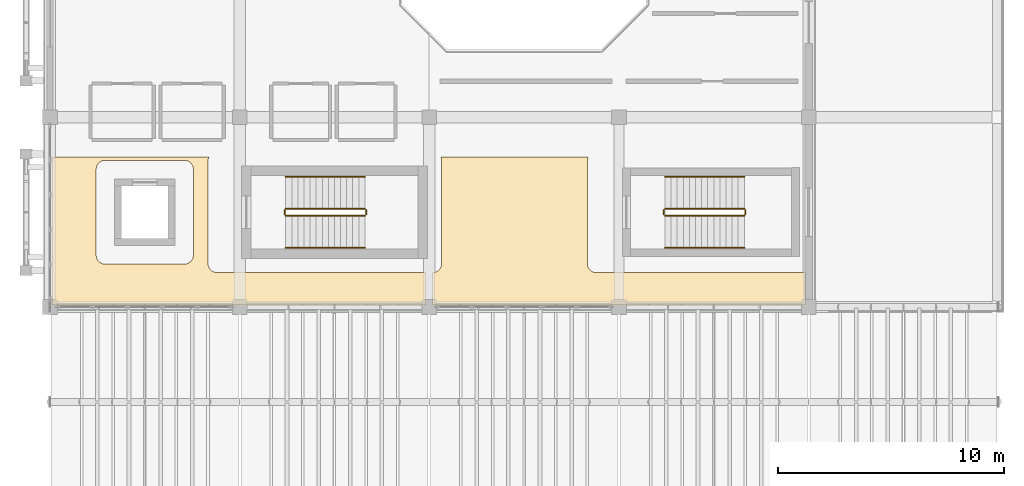
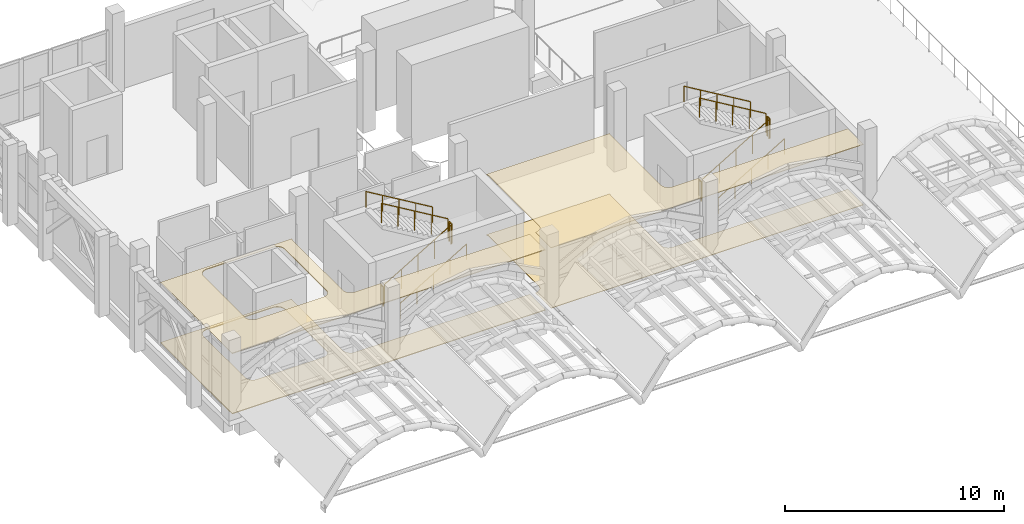
# One storey, part 19 of 22: 12 railings, 4 coverings.
"""IFC4 building model written with IfcOpenShell, lengths in metres."""

from ifc_helpers import new_model, si_unit, direction, frame, origin, origin_2d, place, context, subcontext, project, spatial, polyline, circle, outline, extrude, material, layer, layer_set, type_object, element, save


model = new_model("IFC4")

# Units and contexts
model_context = context("Model", 3, precision=1e-05, world=origin(), true_north=direction((0.0, 1.0)))
body_context = subcontext(model_context, "Body", "Model", "MODEL_VIEW")
ifc_project = project(units=[si_unit("LENGTHUNIT", "METRE"), si_unit("AREAUNIT", "SQUARE_METRE"), si_unit("VOLUMEUNIT", "CUBIC_METRE"), si_unit("PLANEANGLEUNIT", "RADIAN"), si_unit("MASSUNIT", "GRAM", prefix="KILO")], contexts=[model_context])

# Site, building, storey
site_placement = place(None, origin())
site = spatial("IfcSite", under=ifc_project, at=site_placement, CompositionType="ELEMENT")
building_placement = place(site_placement, origin())
building = spatial("IfcBuilding", under=site, at=building_placement, Name="Xazarin Passage Department Store", CompositionType="ELEMENT")
storey_placement = place(building_placement, frame((0.0, 0.0, 27.89990234375)))
storey = spatial("IfcBuildingStorey", under=building, at=storey_placement, Name="L06", CompositionType="ELEMENT", Elevation=27.89990234375)

# Coverings
ifc_material_1 = material(Name="Acoustic mineral ceiling")
ifc_layer_1 = layer(ifc_material_1, 0.030029296875)
ifc_layer_set_1 = layer_set([ifc_layer_1], Name="Acoustic mineral ceiling")
covering_type_1 = type_object("IfcCoveringType", Name="ARC-COV-CLG030", PredefinedType="CEILING", material=ifc_layer_set_1)
covering_1_placement = place(storey_placement, frame((0.0, 0.0, 3.3701171875)))
element("IfcCovering", 1, at=covering_1_placement, inside=storey, type_object=covering_type_1, Name="L06 Design Furniture Showroom Acoustic Ceiling", PredefinedType="CEILING", context=body_context, shape_type="SweptSolid", body=[
    extrude(outline(polyline([(17.306884765625, 83.050048828125), (17.319580078125, 83.023193359375), (17.332763671875, 82.986083984375), (17.34228515625, 82.947998046875), (17.34814453125, 82.9091796875), (17.35009765625, 82.8701171875), (17.35009765625, 78.330078125), (17.34814453125, 78.290771484375), (17.34228515625, 78.251953125), (17.332763671875, 78.2138671875), (17.319580078125, 78.177001953125), (17.302734375, 78.141357421875), (17.28271484375, 78.10791015625), (17.25927734375, 78.076171875), (17.23291015625, 78.047119140625), (17.203857421875, 78.020751953125), (17.172119140625, 77.997314453125), (17.138671875, 77.977294921875), (17.10302734375, 77.96044921875), (17.066162109375, 77.947265625), (17.028076171875, 77.937744140625), (16.9892578125, 77.931884765625), (16.949951171875, 77.929931640625), (16.949951171875, 76.5), (33.449951171875, 76.5), (33.449951171875, 77.929931640625), (24.199951171875, 77.929931640625), (24.160888671875, 77.931884765625), (24.1220703125, 77.937744140625), (24.083984375, 77.947265625), (24.046875, 77.96044921875), (24.011474609375, 77.977294921875), (23.977783203125, 77.997314453125), (23.9462890625, 78.020751953125), (23.917236328125, 78.047119140625), (23.890869140625, 78.076171875), (23.867431640625, 78.10791015625), (23.84716796875, 78.141357421875), (23.830322265625, 78.177001953125), (23.817138671875, 78.2138671875), (23.8076171875, 78.251953125), (23.802001953125, 78.290771484375), (23.800048828125, 78.330078125), (23.800048828125, 82.8701171875), (23.802001953125, 82.9091796875), (23.8076171875, 82.947998046875), (23.817138671875, 82.986083984375), (23.830322265625, 83.023193359375), (23.84326171875, 83.050048828125), (17.306884765625, 83.050048828125)])), origin(), (0.0, 0.0, 1.0), 0.030029296875),
])
ifc_layer_2 = layer(ifc_material_1, 0.0400390625)
ifc_layer_set_2 = layer_set([ifc_layer_2], Name="Acoustic mineral ceiling")
covering_type_2 = type_object("IfcCoveringType", Name="ARC-COV-CLG040", PredefinedType="CEILING", material=ifc_layer_set_2)
covering_2_placement = place(storey_placement, frame((0.0, 0.0, 3.360107421875)))
element("IfcCovering", 2, at=covering_2_placement, inside=storey, type_object=covering_type_2, Name="L06 Sports and Outdoor Hall Acoustic Ceiling", PredefinedType="CEILING", context=body_context, shape_type="SweptSolid", body=[
    extrude(outline(polyline([(16.64990234375, 77.929931640625), (7.39990234375, 77.929931640625), (7.36083984375, 77.931884765625), (7.322021484375, 77.937744140625), (7.283935546875, 77.947265625), (7.246826171875, 77.96044921875), (7.21142578125, 77.977294921875), (7.177734375, 77.997314453125), (7.146240234375, 78.020751953125), (7.1171875, 78.047119140625), (7.0908203125, 78.076171875), (7.0673828125, 78.10791015625), (7.047119140625, 78.141357421875), (7.030517578125, 78.177001953125), (7.01708984375, 78.2138671875), (7.0078125, 78.251953125), (7.001953125, 78.290771484375), (7.0, 78.330078125), (7.0, 82.8701171875), (7.001953125, 82.9091796875), (7.0078125, 82.947998046875), (7.01708984375, 82.986083984375), (7.030517578125, 83.023193359375), (7.043212890625, 83.050048828125), (0.10009765625, 83.050048828125), (0.10009765625, 76.5), (16.64990234375, 76.5), (16.64990234375, 77.929931640625)]), holes=[polyline([(2.449951171875, 78.300048828125), (2.410888671875, 78.302001953125), (2.3720703125, 78.3076171875), (2.333984375, 78.317138671875), (2.296875, 78.330322265625), (2.261474609375, 78.34716796875), (2.227783203125, 78.367431640625), (2.1962890625, 78.390869140625), (2.167236328125, 78.417236328125), (2.140869140625, 78.4462890625), (2.117431640625, 78.477783203125), (2.09716796875, 78.511474609375), (2.080322265625, 78.546875), (2.067138671875, 78.583984375), (2.0576171875, 78.6220703125), (2.052001953125, 78.660888671875), (2.050048828125, 78.699951171875), (2.050048828125, 82.5), (2.052001953125, 82.539306640625), (2.0576171875, 82.577880859375), (2.067138671875, 82.6162109375), (2.080322265625, 82.653076171875), (2.09716796875, 82.688720703125), (2.117431640625, 82.72216796875), (2.140869140625, 82.75390625), (2.167236328125, 82.78271484375), (2.1962890625, 82.80908203125), (2.227783203125, 82.83251953125), (2.261474609375, 82.852783203125), (2.296875, 82.86962890625), (2.333984375, 82.8828125), (2.3720703125, 82.892333984375), (2.410888671875, 82.898193359375), (2.449951171875, 82.89990234375), (5.949951171875, 82.89990234375), (5.9892578125, 82.898193359375), (6.028076171875, 82.892333984375), (6.066162109375, 82.8828125), (6.10302734375, 82.86962890625), (6.138671875, 82.852783203125), (6.172119140625, 82.83251953125), (6.203857421875, 82.80908203125), (6.23291015625, 82.78271484375), (6.25927734375, 82.75390625), (6.28271484375, 82.72216796875), (6.302734375, 82.688720703125), (6.319580078125, 82.653076171875), (6.332763671875, 82.6162109375), (6.34228515625, 82.577880859375), (6.34814453125, 82.539306640625), (6.35009765625, 82.5), (6.35009765625, 78.699951171875), (6.34814453125, 78.660888671875), (6.34228515625, 78.6220703125), (6.332763671875, 78.583984375), (6.319580078125, 78.546875), (6.302734375, 78.511474609375), (6.28271484375, 78.477783203125), (6.25927734375, 78.4462890625), (6.23291015625, 78.417236328125), (6.203857421875, 78.390869140625), (6.172119140625, 78.367431640625), (6.138671875, 78.34716796875), (6.10302734375, 78.330322265625), (6.066162109375, 78.317138671875), (6.028076171875, 78.3076171875), (5.9892578125, 78.302001953125), (5.949951171875, 78.300048828125), (2.449951171875, 78.300048828125)])]), origin(), (0.0, 0.0, 1.0), 0.0400390625),
])
ifc_material_2 = material(Name="Terrazzo stone flooring", Category="masonry")
ifc_layer_3 = layer(ifc_material_2, 0.02490234375)
ifc_layer_set_3 = layer_set([ifc_layer_3], Name="Terrazzo stone flooring")
covering_type_3 = type_object("IfcCoveringType", Name="ARC-COV-FLR025", PredefinedType="FLOORING", material=ifc_layer_set_3)
covering_3_placement = place(storey_placement, origin())
element("IfcCovering", 3, at=covering_3_placement, inside=storey, type_object=covering_type_3, Name="L06 Design Furniture Showroom Terrazzo Flooring", PredefinedType="FLOORING", context=body_context, shape_type="SweptSolid", body=[
    extrude(outline(polyline([(17.306884765625, 83.050048828125), (17.319580078125, 83.023193359375), (17.332763671875, 82.986083984375), (17.34228515625, 82.947998046875), (17.34814453125, 82.9091796875), (17.35009765625, 82.8701171875), (17.35009765625, 78.330078125), (17.34814453125, 78.290771484375), (17.34228515625, 78.251953125), (17.332763671875, 78.2138671875), (17.319580078125, 78.177001953125), (17.302734375, 78.141357421875), (17.28271484375, 78.10791015625), (17.25927734375, 78.076171875), (17.23291015625, 78.047119140625), (17.203857421875, 78.020751953125), (17.172119140625, 77.997314453125), (17.138671875, 77.977294921875), (17.10302734375, 77.96044921875), (17.066162109375, 77.947265625), (17.028076171875, 77.937744140625), (16.9892578125, 77.931884765625), (16.949951171875, 77.929931640625), (16.949951171875, 76.5), (33.449951171875, 76.5), (33.449951171875, 77.929931640625), (24.199951171875, 77.929931640625), (24.160888671875, 77.931884765625), (24.1220703125, 77.937744140625), (24.083984375, 77.947265625), (24.046875, 77.96044921875), (24.011474609375, 77.977294921875), (23.977783203125, 77.997314453125), (23.9462890625, 78.020751953125), (23.917236328125, 78.047119140625), (23.890869140625, 78.076171875), (23.867431640625, 78.10791015625), (23.84716796875, 78.141357421875), (23.830322265625, 78.177001953125), (23.817138671875, 78.2138671875), (23.8076171875, 78.251953125), (23.802001953125, 78.290771484375), (23.800048828125, 78.330078125), (23.800048828125, 82.8701171875), (23.802001953125, 82.9091796875), (23.8076171875, 82.947998046875), (23.817138671875, 82.986083984375), (23.830322265625, 83.023193359375), (23.84326171875, 83.050048828125), (17.306884765625, 83.050048828125)])), origin(), (0.0, 0.0, 1.0), 0.025146484375),
])
ifc_layer_4 = layer(ifc_material_2, 0.034912109375)
ifc_layer_set_4 = layer_set([ifc_layer_4], Name="Terrazzo stone flooring")
covering_type_4 = type_object("IfcCoveringType", Name="ARC-COV-FLR035", PredefinedType="FLOORING", material=ifc_layer_set_4)
covering_4_placement = place(storey_placement, origin())
element("IfcCovering", 4, at=covering_4_placement, inside=storey, type_object=covering_type_4, Name="L06 Sports and Outdoor Hall Terrazzo Flooring", PredefinedType="FLOORING", context=body_context, shape_type="SweptSolid", body=[
    extrude(outline(polyline([(16.64990234375, 77.929931640625), (7.39990234375, 77.929931640625), (7.36083984375, 77.931884765625), (7.322021484375, 77.937744140625), (7.283935546875, 77.947265625), (7.246826171875, 77.96044921875), (7.21142578125, 77.977294921875), (7.177734375, 77.997314453125), (7.146240234375, 78.020751953125), (7.1171875, 78.047119140625), (7.0908203125, 78.076171875), (7.0673828125, 78.10791015625), (7.047119140625, 78.141357421875), (7.030517578125, 78.177001953125), (7.01708984375, 78.2138671875), (7.0078125, 78.251953125), (7.001953125, 78.290771484375), (7.0, 78.330078125), (7.0, 82.8701171875), (7.001953125, 82.9091796875), (7.0078125, 82.947998046875), (7.01708984375, 82.986083984375), (7.030517578125, 83.023193359375), (7.043212890625, 83.050048828125), (0.10009765625, 83.050048828125), (0.10009765625, 76.5), (16.64990234375, 76.5), (16.64990234375, 77.929931640625)]), holes=[polyline([(2.449951171875, 78.300048828125), (2.410888671875, 78.302001953125), (2.3720703125, 78.3076171875), (2.333984375, 78.317138671875), (2.296875, 78.330322265625), (2.261474609375, 78.34716796875), (2.227783203125, 78.367431640625), (2.1962890625, 78.390869140625), (2.167236328125, 78.417236328125), (2.140869140625, 78.4462890625), (2.117431640625, 78.477783203125), (2.09716796875, 78.511474609375), (2.080322265625, 78.546875), (2.067138671875, 78.583984375), (2.0576171875, 78.6220703125), (2.052001953125, 78.660888671875), (2.050048828125, 78.699951171875), (2.050048828125, 82.5), (2.052001953125, 82.539306640625), (2.0576171875, 82.577880859375), (2.067138671875, 82.6162109375), (2.080322265625, 82.653076171875), (2.09716796875, 82.688720703125), (2.117431640625, 82.72216796875), (2.140869140625, 82.75390625), (2.167236328125, 82.78271484375), (2.1962890625, 82.80908203125), (2.227783203125, 82.83251953125), (2.261474609375, 82.852783203125), (2.296875, 82.86962890625), (2.333984375, 82.8828125), (2.3720703125, 82.892333984375), (2.410888671875, 82.898193359375), (2.449951171875, 82.89990234375), (5.949951171875, 82.89990234375), (5.9892578125, 82.898193359375), (6.028076171875, 82.892333984375), (6.066162109375, 82.8828125), (6.10302734375, 82.86962890625), (6.138671875, 82.852783203125), (6.172119140625, 82.83251953125), (6.203857421875, 82.80908203125), (6.23291015625, 82.78271484375), (6.25927734375, 82.75390625), (6.28271484375, 82.72216796875), (6.302734375, 82.688720703125), (6.319580078125, 82.653076171875), (6.332763671875, 82.6162109375), (6.34228515625, 82.577880859375), (6.34814453125, 82.539306640625), (6.35009765625, 82.5), (6.35009765625, 78.699951171875), (6.34814453125, 78.660888671875), (6.34228515625, 78.6220703125), (6.332763671875, 78.583984375), (6.319580078125, 78.546875), (6.302734375, 78.511474609375), (6.28271484375, 78.477783203125), (6.25927734375, 78.4462890625), (6.23291015625, 78.417236328125), (6.203857421875, 78.390869140625), (6.172119140625, 78.367431640625), (6.138671875, 78.34716796875), (6.10302734375, 78.330322265625), (6.066162109375, 78.317138671875), (6.028076171875, 78.3076171875), (5.9892578125, 78.302001953125), (5.949951171875, 78.300048828125), (2.449951171875, 78.300048828125)])]), origin(), (0.0, 0.0, 1.0), 0.03515625),
])

# Railings
ifc_material_3 = material(Name="Steel S355", Category="steel")
railing_type_1 = type_object("IfcRailingType", Name="ARC-RL-GRD112", PredefinedType="GUARDRAIL", material=ifc_material_3)
railing_1_placement = place(storey_placement, frame((10.43994140625, 80.449951171875, 0.160888671875)))
element("IfcRailing", 5, at=railing_1_placement, inside=storey, type_object=railing_type_1, Name="L06 ST1 stair guard 1", PredefinedType="GUARDRAIL", context=body_context, shape_type="SweptSolid", body=[
    extrude(circle(Radius=0.02392578125, at=origin_2d()), frame((0.0, 0.0, 1.076171875), z_axis=(0.859312273368, 0.0, 0.511451284914), x_axis=(0.0, 1.0, 0.0)), (0.0, 0.0, 1.0), 4.084716796875),
    extrude(circle(Radius=0.02099609375, at=origin_2d()), origin(), (0.0, 0.0, 1.0), 1.0517578125),
    extrude(circle(Radius=0.02099609375, at=origin_2d()), frame((0.87744140625, 0.0, 0.522216796875)), (0.0, 0.0, 1.0), 1.0517578125),
    extrude(circle(Radius=0.02099609375, at=origin_2d()), frame((1.7548828125, 0.0, 1.04443359375)), (0.0, 0.0, 1.0), 1.0517578125),
    extrude(circle(Radius=0.02099609375, at=origin_2d()), frame((2.632568359375, 0.0, 1.56689453125)), (0.0, 0.0, 1.0), 1.0517578125),
    extrude(circle(Radius=0.02099609375, at=origin_2d()), frame((3.510009765625, 0.0, 2.089111328125)), (0.0, 0.0, 1.0), 1.0517578125),
])
railing_2_placement = place(storey_placement, frame((14.0, 80.5, 2.25)))
element("IfcRailing", 6, at=railing_2_placement, inside=storey, type_object=railing_type_1, Name="L06 ST1 stair guard 2", PredefinedType="GUARDRAIL", context=body_context, shape_type="SweptSolid", body=[
    extrude(circle(Radius=0.02392578125, at=origin_2d()), frame((0.0, 0.0, 1.076171875), z_axis=(0.0, 1.0, 0.0), x_axis=(-1.0, 0.0, 0.0)), (0.0, 0.0, 1.0), 0.199951171875),
    extrude(circle(Radius=0.02099609375, at=origin_2d()), origin(), (0.0, 0.0, 1.0), 1.0517578125),
    extrude(circle(Radius=0.02099609375, at=origin_2d()), frame((0.0, 0.199951171875, 0.0)), (0.0, 0.0, 1.0), 1.0517578125),
])
railing_3_placement = place(storey_placement, frame((13.949951171875, 80.75, 2.410888671875)))
element("IfcRailing", 7, at=railing_3_placement, inside=storey, type_object=railing_type_1, Name="L06 ST1 stair guard 3", PredefinedType="GUARDRAIL", context=body_context, shape_type="SweptSolid", body=[
    extrude(circle(Radius=0.02392578125, at=origin_2d()), frame((0.0, 0.0, 1.076171875), z_axis=(-0.859312273368, 0.0, 0.511451284914), x_axis=(0.0, -1.0, 0.0)), (0.0, 0.0, 1.0), 4.084716796875),
    extrude(circle(Radius=0.02099609375, at=origin_2d()), origin(), (0.0, 0.0, 1.0), 1.0517578125),
    extrude(circle(Radius=0.02099609375, at=origin_2d()), frame((-0.87744140625, 0.0, 0.522216796875)), (0.0, 0.0, 1.0), 1.0517578125),
    extrude(circle(Radius=0.02099609375, at=origin_2d()), frame((-1.7548828125, 0.0, 1.04443359375)), (0.0, 0.0, 1.0), 1.0517578125),
    extrude(circle(Radius=0.02099609375, at=origin_2d()), frame((-2.632568359375, 0.0, 1.56689453125)), (0.0, 0.0, 1.0), 1.0517578125),
    extrude(circle(Radius=0.02099609375, at=origin_2d()), frame((-3.510009765625, 0.0, 2.089111328125)), (0.0, 0.0, 1.0), 1.0517578125),
])
railing_4_placement = place(storey_placement, frame((10.389892578125, 80.5, 0.0)))
element("IfcRailing", 8, at=railing_4_placement, inside=storey, type_object=railing_type_1, Name="L06 ST1 stair guard 4", PredefinedType="GUARDRAIL", context=body_context, shape_type="SweptSolid", body=[
    extrude(circle(Radius=0.02392578125, at=origin_2d()), frame((0.0, 0.0, 1.076171875), z_axis=(0.0, 1.0, 0.0), x_axis=(-1.0, 0.0, 0.0)), (0.0, 0.0, 1.0), 0.199951171875),
    extrude(circle(Radius=0.02099609375, at=origin_2d()), origin(), (0.0, 0.0, 1.0), 1.0517578125),
    extrude(circle(Radius=0.02099609375, at=origin_2d()), frame((0.0, 0.199951171875, 0.0)), (0.0, 0.0, 1.0), 1.0517578125),
])
railing_5_placement = place(storey_placement, frame((27.239990234375, 80.449951171875, 0.160888671875)))
element("IfcRailing", 9, at=railing_5_placement, inside=storey, type_object=railing_type_1, Name="L06 ST3 stair guard 1", PredefinedType="GUARDRAIL", context=body_context, shape_type="SweptSolid", body=[
    extrude(circle(Radius=0.02392578125, at=origin_2d()), frame((0.0, 0.0, 1.076171875), z_axis=(0.859312273368, 0.0, 0.511451284914), x_axis=(0.0, 1.0, 0.0)), (0.0, 0.0, 1.0), 4.084716796875),
    extrude(circle(Radius=0.02099609375, at=origin_2d()), origin(), (0.0, 0.0, 1.0), 1.0517578125),
    extrude(circle(Radius=0.02099609375, at=origin_2d()), frame((0.87744140625, 0.0, 0.522216796875)), (0.0, 0.0, 1.0), 1.0517578125),
    extrude(circle(Radius=0.02099609375, at=origin_2d()), frame((1.7548828125, 0.0, 1.04443359375)), (0.0, 0.0, 1.0), 1.0517578125),
    extrude(circle(Radius=0.02099609375, at=origin_2d()), frame((2.632568359375, 0.0, 1.56689453125)), (0.0, 0.0, 1.0), 1.0517578125),
    extrude(circle(Radius=0.02099609375, at=origin_2d()), frame((3.510009765625, 0.0, 2.089111328125)), (0.0, 0.0, 1.0), 1.0517578125),
])
railing_6_placement = place(storey_placement, frame((30.800048828125, 80.5, 2.25)))
element("IfcRailing", 10, at=railing_6_placement, inside=storey, type_object=railing_type_1, Name="L06 ST3 stair guard 2", PredefinedType="GUARDRAIL", context=body_context, shape_type="SweptSolid", body=[
    extrude(circle(Radius=0.02392578125, at=origin_2d()), frame((0.0, 0.0, 1.076171875), z_axis=(0.0, 1.0, 0.0), x_axis=(-1.0, 0.0, 0.0)), (0.0, 0.0, 1.0), 0.199951171875),
    extrude(circle(Radius=0.02099609375, at=origin_2d()), origin(), (0.0, 0.0, 1.0), 1.0517578125),
    extrude(circle(Radius=0.02099609375, at=origin_2d()), frame((0.0, 0.199951171875, 0.0)), (0.0, 0.0, 1.0), 1.0517578125),
])
railing_7_placement = place(storey_placement, frame((30.75, 80.75, 2.410888671875)))
element("IfcRailing", 11, at=railing_7_placement, inside=storey, type_object=railing_type_1, Name="L06 ST3 stair guard 3", PredefinedType="GUARDRAIL", context=body_context, shape_type="SweptSolid", body=[
    extrude(circle(Radius=0.02392578125, at=origin_2d()), frame((0.0, 0.0, 1.076171875), z_axis=(-0.859312273368, 0.0, 0.511451284914), x_axis=(0.0, -1.0, 0.0)), (0.0, 0.0, 1.0), 4.084716796875),
    extrude(circle(Radius=0.02099609375, at=origin_2d()), origin(), (0.0, 0.0, 1.0), 1.0517578125),
    extrude(circle(Radius=0.02099609375, at=origin_2d()), frame((-0.87744140625, 0.0, 0.522216796875)), (0.0, 0.0, 1.0), 1.0517578125),
    extrude(circle(Radius=0.02099609375, at=origin_2d()), frame((-1.7548828125, 0.0, 1.04443359375)), (0.0, 0.0, 1.0), 1.0517578125),
    extrude(circle(Radius=0.02099609375, at=origin_2d()), frame((-2.632568359375, 0.0, 1.56689453125)), (0.0, 0.0, 1.0), 1.0517578125),
    extrude(circle(Radius=0.02099609375, at=origin_2d()), frame((-3.510009765625, 0.0, 2.089111328125)), (0.0, 0.0, 1.0), 1.0517578125),
])
railing_8_placement = place(storey_placement, frame((27.18994140625, 80.5, 0.0)))
element("IfcRailing", 12, at=railing_8_placement, inside=storey, type_object=railing_type_1, Name="L06 ST3 stair guard 4", PredefinedType="GUARDRAIL", context=body_context, shape_type="SweptSolid", body=[
    extrude(circle(Radius=0.02392578125, at=origin_2d()), frame((0.0, 0.0, 1.076171875), z_axis=(0.0, 1.0, 0.0), x_axis=(-1.0, 0.0, 0.0)), (0.0, 0.0, 1.0), 0.199951171875),
    extrude(circle(Radius=0.02099609375, at=origin_2d()), origin(), (0.0, 0.0, 1.0), 1.0517578125),
    extrude(circle(Radius=0.02099609375, at=origin_2d()), frame((0.0, 0.199951171875, 0.0)), (0.0, 0.0, 1.0), 1.0517578125),
])
railing_type_2 = type_object("IfcRailingType", Name="ARC-RL-HND090", PredefinedType="HANDRAIL", material=ifc_material_3)
railing_9_placement = place(storey_placement, frame((10.43994140625, 79.030029296875, 0.160888671875)))
element("IfcRailing", 13, at=railing_9_placement, inside=storey, type_object=railing_type_2, Name="L06 ST1 stair handrail 1", PredefinedType="HANDRAIL", context=body_context, shape_type="SweptSolid", body=[
    extrude(circle(Radius=0.02392578125, at=origin_2d()), frame((0.0, 0.0, 0.8759765625), z_axis=(0.859312273368, 0.0, 0.511451284914), x_axis=(0.0, 1.0, 0.0)), (0.0, 0.0, 1.0), 4.084716796875),
    extrude(circle(Radius=0.02099609375, at=origin_2d()), origin(), (0.0, 0.0, 1.0), 0.8515625),
    extrude(circle(Radius=0.02099609375, at=origin_2d()), frame((0.87744140625, 0.0, 0.522216796875)), (0.0, 0.0, 1.0), 0.8515625),
    extrude(circle(Radius=0.02099609375, at=origin_2d()), frame((1.7548828125, 0.0, 1.04443359375)), (0.0, 0.0, 1.0), 0.8515625),
    extrude(circle(Radius=0.02099609375, at=origin_2d()), frame((2.632568359375, 0.0, 1.56689453125)), (0.0, 0.0, 1.0), 0.8515625),
    extrude(circle(Radius=0.02099609375, at=origin_2d()), frame((3.510009765625, 0.0, 2.089111328125)), (0.0, 0.0, 1.0), 0.8515625),
])
railing_10_placement = place(storey_placement, frame((13.949951171875, 82.169921875, 2.410888671875)))
element("IfcRailing", 14, at=railing_10_placement, inside=storey, type_object=railing_type_2, Name="L06 ST1 stair handrail 2", PredefinedType="HANDRAIL", context=body_context, shape_type="SweptSolid", body=[
    extrude(circle(Radius=0.02392578125, at=origin_2d()), frame((0.0, 0.0, 0.8759765625), z_axis=(-0.859312273368, 0.0, 0.511451284914), x_axis=(0.0, -1.0, 0.0)), (0.0, 0.0, 1.0), 4.084716796875),
    extrude(circle(Radius=0.02099609375, at=origin_2d()), origin(), (0.0, 0.0, 1.0), 0.8515625),
    extrude(circle(Radius=0.02099609375, at=origin_2d()), frame((-0.87744140625, 0.0, 0.522216796875)), (0.0, 0.0, 1.0), 0.8515625),
    extrude(circle(Radius=0.02099609375, at=origin_2d()), frame((-1.7548828125, 0.0, 1.04443359375)), (0.0, 0.0, 1.0), 0.8515625),
    extrude(circle(Radius=0.02099609375, at=origin_2d()), frame((-2.632568359375, 0.0, 1.56689453125)), (0.0, 0.0, 1.0), 0.8515625),
    extrude(circle(Radius=0.02099609375, at=origin_2d()), frame((-3.510009765625, 0.0, 2.089111328125)), (0.0, 0.0, 1.0), 0.8515625),
])
railing_11_placement = place(storey_placement, frame((27.239990234375, 79.030029296875, 0.160888671875)))
element("IfcRailing", 15, at=railing_11_placement, inside=storey, type_object=railing_type_2, Name="L06 ST3 stair handrail 1", PredefinedType="HANDRAIL", context=body_context, shape_type="SweptSolid", body=[
    extrude(circle(Radius=0.02392578125, at=origin_2d()), frame((0.0, 0.0, 0.8759765625), z_axis=(0.859312273368, 0.0, 0.511451284914), x_axis=(0.0, 1.0, 0.0)), (0.0, 0.0, 1.0), 4.084716796875),
    extrude(circle(Radius=0.02099609375, at=origin_2d()), origin(), (0.0, 0.0, 1.0), 0.8515625),
    extrude(circle(Radius=0.02099609375, at=origin_2d()), frame((0.87744140625, 0.0, 0.522216796875)), (0.0, 0.0, 1.0), 0.8515625),
    extrude(circle(Radius=0.02099609375, at=origin_2d()), frame((1.7548828125, 0.0, 1.04443359375)), (0.0, 0.0, 1.0), 0.8515625),
    extrude(circle(Radius=0.02099609375, at=origin_2d()), frame((2.632568359375, 0.0, 1.56689453125)), (0.0, 0.0, 1.0), 0.8515625),
    extrude(circle(Radius=0.02099609375, at=origin_2d()), frame((3.510009765625, 0.0, 2.089111328125)), (0.0, 0.0, 1.0), 0.8515625),
])
railing_12_placement = place(storey_placement, frame((30.75, 82.169921875, 2.410888671875)))
element("IfcRailing", 16, at=railing_12_placement, inside=storey, type_object=railing_type_2, Name="L06 ST3 stair handrail 2", PredefinedType="HANDRAIL", context=body_context, shape_type="SweptSolid", body=[
    extrude(circle(Radius=0.02392578125, at=origin_2d()), frame((0.0, 0.0, 0.8759765625), z_axis=(-0.859312273368, 0.0, 0.511451284914), x_axis=(0.0, -1.0, 0.0)), (0.0, 0.0, 1.0), 4.084716796875),
    extrude(circle(Radius=0.02099609375, at=origin_2d()), origin(), (0.0, 0.0, 1.0), 0.8515625),
    extrude(circle(Radius=0.02099609375, at=origin_2d()), frame((-0.87744140625, 0.0, 0.522216796875)), (0.0, 0.0, 1.0), 0.8515625),
    extrude(circle(Radius=0.02099609375, at=origin_2d()), frame((-1.7548828125, 0.0, 1.04443359375)), (0.0, 0.0, 1.0), 0.8515625),
    extrude(circle(Radius=0.02099609375, at=origin_2d()), frame((-2.632568359375, 0.0, 1.56689453125)), (0.0, 0.0, 1.0), 0.8515625),
    extrude(circle(Radius=0.02099609375, at=origin_2d()), frame((-3.510009765625, 0.0, 2.089111328125)), (0.0, 0.0, 1.0), 0.8515625),
])

save(model, "model.ifc")
